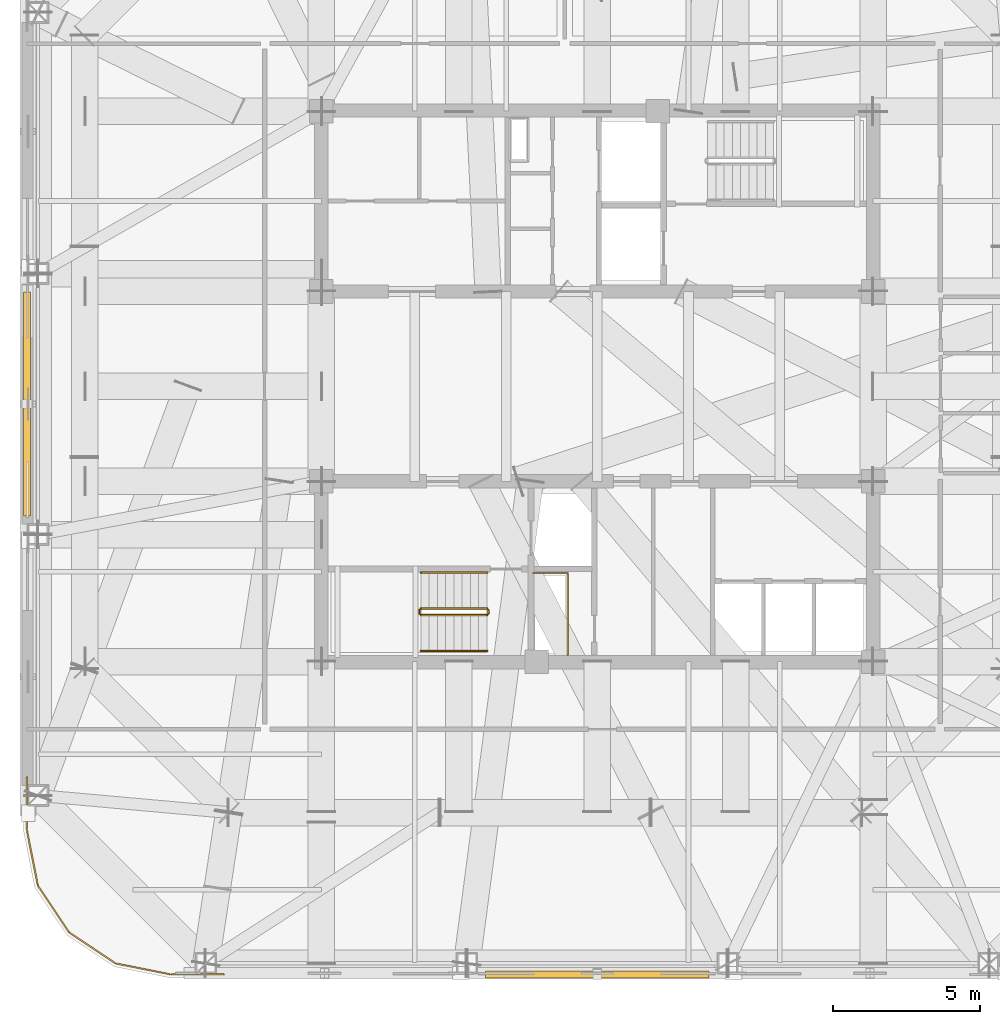
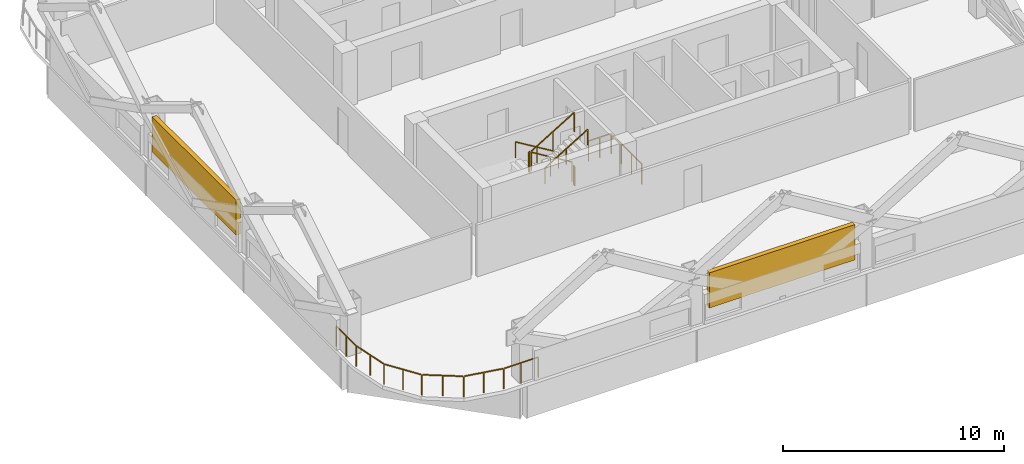
# One storey, part 9 of 11: 8 railings, 2 shading devices.
"""IFC4 building model written with IfcOpenShell, lengths in metres."""

from ifc_helpers import new_model, si_unit, direction, frame, origin, origin_2d, place, context, subcontext, project, spatial, rectangle, extrude, material, type_object, element, save


model = new_model("IFC4")

# Units and contexts
model_context = context("Model", 3, precision=1e-05, world=origin(), true_north=direction((0.0, 1.0)))
body_context = subcontext(model_context, "Body", "Model", "MODEL_VIEW")
ifc_project = project(units=[si_unit("LENGTHUNIT", "METRE"), si_unit("AREAUNIT", "SQUARE_METRE"), si_unit("VOLUMEUNIT", "CUBIC_METRE"), si_unit("PLANEANGLEUNIT", "RADIAN"), si_unit("MASSUNIT", "GRAM", prefix="KILO")], contexts=[model_context])

# Site, building, storey
site_placement = place(None, origin())
site = spatial("IfcSite", under=ifc_project, at=site_placement, CompositionType="ELEMENT")
building_placement = place(site_placement, origin())
building = spatial("IfcBuilding", under=site, at=building_placement, Name="Qhalaya Broadcast Tower", CompositionType="ELEMENT")
storey_placement = place(building_placement, frame((0.0, 0.0, 199.5)))
storey = spatial("IfcBuildingStorey", under=building, at=storey_placement, Name="L58", CompositionType="ELEMENT", Elevation=199.5)

# Railings
ifc_material_1 = material(Name="Powder-Coated Galvanised Steel", Category="steel")
railing_type_1 = type_object("IfcRailingType", Name="Stair Wall Handrail 900", PredefinedType="HANDRAIL", material=ifc_material_1)
railing_1_placement = place(storey_placement, frame((-3.75, -5.72998046875, 0.16943359375)))
element("IfcRailing", 1, at=railing_1_placement, inside=storey, type_object=railing_type_1, Name="L58 ST-2 Stair Handrail 1", PredefinedType="HANDRAIL", context=body_context, shape_type="SweptSolid", body=[
    extrude(rectangle(XDim=0.048095703125, YDim=0.048095703125, at=origin_2d()), frame((0.0, 0.0, 0.8759765625), z_axis=(-0.855553338991, 0.0, 0.51771467445), x_axis=(0.0, -1.0, 0.0)), (0.0, 0.0, 1.0), 2.6181640625),
    extrude(rectangle(XDim=0.0419921875, YDim=0.0419921875, at=origin_2d()), origin(), (0.0, 0.0, 1.0), 0.849853515625),
    extrude(rectangle(XDim=0.0419921875, YDim=0.0419921875, at=origin_2d()), frame((-1.1201171875, 0.0, 0.677734375)), (0.0, 0.0, 1.0), 0.849853515625),
    extrude(rectangle(XDim=0.0419921875, YDim=0.0419921875, at=origin_2d()), frame((-2.239990234375, 0.0, 1.35546875)), (0.0, 0.0, 1.0), 0.849853515625),
])
railing_2_placement = place(storey_placement, frame((-5.989990234375, -8.389892578125, 1.6943359375)))
element("IfcRailing", 2, at=railing_2_placement, inside=storey, type_object=railing_type_1, Name="L58 ST-2 Stair Handrail 2", PredefinedType="HANDRAIL", context=body_context, shape_type="SweptSolid", body=[
    extrude(rectangle(XDim=0.048095703125, YDim=0.048095703125, at=origin_2d()), frame((0.0, 0.0, 0.8759765625), z_axis=(0.855512035549, 0.0, 0.517782924622), x_axis=(0.0, 1.0, 0.0)), (0.0, 0.0, 1.0), 2.618408203125),
    extrude(rectangle(XDim=0.0419921875, YDim=0.0419921875, at=origin_2d()), origin(), (0.0, 0.0, 1.0), 0.849853515625),
    extrude(rectangle(XDim=0.0419921875, YDim=0.0419921875, at=origin_2d()), frame((1.1201171875, 0.0, 0.677734375)), (0.0, 0.0, 1.0), 0.849853515625),
    extrude(rectangle(XDim=0.0419921875, YDim=0.0419921875, at=origin_2d()), frame((2.239990234375, 0.0, 1.355712890625)), (0.0, 0.0, 1.0), 0.849853515625),
])
railing_type_2 = type_object("IfcRailingType", Name="Stair Well & Landing Guardrail 1100", PredefinedType="GUARDRAIL", material=ifc_material_1)
railing_3_placement = place(storey_placement, frame((-1.0, -8.52001953125, 0.0)))
element("IfcRailing", 3, at=railing_3_placement, inside=storey, type_object=railing_type_2, Name="L58 Service Riser Opening Safety Guard SRSR", PredefinedType="GUARDRAIL", context=body_context, shape_type="SweptSolid", body=[
    extrude(rectangle(XDim=0.048095703125, YDim=0.048095703125, at=origin_2d()), frame((0.0, 0.0, 1.1259765625), z_axis=(0.0, 1.0, 0.0), x_axis=(-1.0, 0.0, 0.0)), (0.0, 0.0, 1.0), 2.751220703125),
    extrude(rectangle(XDim=0.048095703125, YDim=0.048095703125, at=origin_2d()), frame((-0.02880859375, 2.780029296875, 1.1259765625), z_axis=(-1.0, 0.0, 0.0), x_axis=(0.0, -1.0, 0.0)), (0.0, 0.0, 1.0), 1.151123046875),
    extrude(rectangle(XDim=0.0419921875, YDim=0.0419921875, at=origin_2d()), origin(), (0.0, 0.0, 1.0), 1.099853515625),
    extrude(rectangle(XDim=0.0419921875, YDim=0.0419921875, at=origin_2d()), frame((0.0, 0.9267578125, 0.0)), (0.0, 0.0, 1.0), 1.099853515625),
    extrude(rectangle(XDim=0.0419921875, YDim=0.0419921875, at=origin_2d()), frame((0.0, 1.853271484375, 0.0)), (0.0, 0.0, 1.0), 1.099853515625),
    extrude(rectangle(XDim=0.0419921875, YDim=0.0419921875, at=origin_2d()), frame((0.0, 2.780029296875, 0.0)), (0.0, 0.0, 1.0), 1.099853515625),
    extrude(rectangle(XDim=0.0419921875, YDim=0.0419921875, at=origin_2d()), frame((-0.58984375, 2.780029296875, 0.0)), (0.0, 0.0, 1.0), 1.099853515625),
    extrude(rectangle(XDim=0.0419921875, YDim=0.0419921875, at=origin_2d()), frame((-1.179931640625, 2.780029296875, 0.0)), (0.0, 0.0, 1.0), 1.099853515625),
])
railing_4_placement = place(storey_placement, frame((-3.75, -6.949951171875, 0.16943359375)))
element("IfcRailing", 4, at=railing_4_placement, inside=storey, type_object=railing_type_2, Name="L58 ST-2 Stair Guard 1", PredefinedType="GUARDRAIL", context=body_context, shape_type="SweptSolid", body=[
    extrude(rectangle(XDim=0.048095703125, YDim=0.048095703125, at=origin_2d()), frame((0.0, 0.0, 1.076171875), z_axis=(-0.855553338991, 0.0, 0.51771467445), x_axis=(0.0, -1.0, 0.0)), (0.0, 0.0, 1.0), 2.6181640625),
    extrude(rectangle(XDim=0.0419921875, YDim=0.0419921875, at=origin_2d()), origin(), (0.0, 0.0, 1.0), 1.050048828125),
    extrude(rectangle(XDim=0.0419921875, YDim=0.0419921875, at=origin_2d()), frame((-1.1201171875, 0.0, 0.677734375)), (0.0, 0.0, 1.0), 1.050048828125),
    extrude(rectangle(XDim=0.0419921875, YDim=0.0419921875, at=origin_2d()), frame((-2.239990234375, 0.0, 1.35546875)), (0.0, 0.0, 1.0), 1.050048828125),
])
railing_5_placement = place(storey_placement, frame((-6.0400390625, -7.0, 1.52490234375)))
element("IfcRailing", 5, at=railing_5_placement, inside=storey, type_object=railing_type_2, Name="L58 ST-2 Stair Guard 2", PredefinedType="GUARDRAIL", context=body_context, shape_type="SweptSolid", body=[
    extrude(rectangle(XDim=0.048095703125, YDim=0.048095703125, at=origin_2d()), frame((0.0, 0.0, 1.076171875), z_axis=(0.0, -1.0, 0.0), x_axis=(1.0, 0.0, 0.0)), (0.0, 0.0, 1.0), 0.1201171875),
    extrude(rectangle(XDim=0.0419921875, YDim=0.0419921875, at=origin_2d()), origin(), (0.0, 0.0, 1.0), 1.050048828125),
    extrude(rectangle(XDim=0.0419921875, YDim=0.0419921875, at=origin_2d()), frame((0.0, -0.1201171875, 0.0)), (0.0, 0.0, 1.0), 1.050048828125),
])
railing_6_placement = place(storey_placement, frame((-5.989990234375, -7.169921875, 1.6943359375)))
element("IfcRailing", 6, at=railing_6_placement, inside=storey, type_object=railing_type_2, Name="L58 ST-2 Stair Guard 3", PredefinedType="GUARDRAIL", context=body_context, shape_type="SweptSolid", body=[
    extrude(rectangle(XDim=0.048095703125, YDim=0.048095703125, at=origin_2d()), frame((0.0, 0.0, 1.076171875), z_axis=(0.855512035549, 0.0, 0.517782924622), x_axis=(0.0, 1.0, 0.0)), (0.0, 0.0, 1.0), 2.618408203125),
    extrude(rectangle(XDim=0.0419921875, YDim=0.0419921875, at=origin_2d()), origin(), (0.0, 0.0, 1.0), 1.050048828125),
    extrude(rectangle(XDim=0.0419921875, YDim=0.0419921875, at=origin_2d()), frame((1.1201171875, 0.0, 0.677734375)), (0.0, 0.0, 1.0), 1.050048828125),
    extrude(rectangle(XDim=0.0419921875, YDim=0.0419921875, at=origin_2d()), frame((2.239990234375, 0.0, 1.355712890625)), (0.0, 0.0, 1.0), 1.050048828125),
])
railing_7_placement = place(storey_placement, frame((-3.699951171875, -7.0, 0.0)))
element("IfcRailing", 7, at=railing_7_placement, inside=storey, type_object=railing_type_2, Name="L58 ST-2 Stair Guard 4", PredefinedType="GUARDRAIL", context=body_context, shape_type="SweptSolid", body=[
    extrude(rectangle(XDim=0.048095703125, YDim=0.048095703125, at=origin_2d()), frame((0.0, 0.0, 1.076171875), z_axis=(0.0, -1.0, 0.0), x_axis=(1.0, 0.0, 0.0)), (0.0, 0.0, 1.0), 0.1201171875),
    extrude(rectangle(XDim=0.0419921875, YDim=0.0419921875, at=origin_2d()), origin(), (0.0, 0.0, 1.0), 1.050048828125),
    extrude(rectangle(XDim=0.0419921875, YDim=0.0419921875, at=origin_2d()), frame((0.0, -0.1201171875, 0.0)), (0.0, 0.0, 1.0), 1.050048828125),
])
railing_type_3 = type_object("IfcRailingType", Name="Terrace, Sky-Pool & Lookout Glass Balustrade 1150", PredefinedType="BALUSTRADE", material=ifc_material_1)
railing_8_placement = place(storey_placement, frame((-12.681884765625, -19.3798828125, 0.0)))
element("IfcRailing", 8, at=railing_8_placement, inside=storey, type_object=railing_type_3, Name="L58 Rounded Corner Perimeter Guard 02", PredefinedType="BALUSTRADE", context=body_context, shape_type="SweptSolid", body=[
    extrude(rectangle(XDim=0.048095703125, YDim=0.048095703125, at=origin_2d()), frame((0.0, 0.0, 1.1259765625), z_axis=(-1.0, 0.0, 0.0), x_axis=(0.0, -1.0, 0.0)), (0.0, 0.0, 1.0), 1.777587890625),
    extrude(rectangle(XDim=0.048095703125, YDim=0.048095703125, at=origin_2d()), frame((-1.834716796875, 0.005615234375, 1.1259765625), z_axis=(-0.980795810058, 0.195037378397, 0.0), x_axis=(-0.195037378397, -0.980795810058, 0.0)), (0.0, 0.0, 1.0), 1.857421875),
    extrude(rectangle(XDim=0.048095703125, YDim=0.048095703125, at=origin_2d()), frame((-3.708740234375, 0.3896484375, 1.1259765625), z_axis=(-0.831437950597, 0.555617615188, 0.0), x_axis=(-0.555617615188, -0.831437950597, 0.0)), (0.0, 0.0, 1.0), 1.845458984375),
    extrude(rectangle(XDim=0.048095703125, YDim=0.048095703125, at=origin_2d()), frame((-5.283203125, 1.454833984375, 1.1259765625), z_axis=(-0.555617615188, 0.831437950597, 0.0), x_axis=(-0.831437950597, -0.555617615188, 0.0)), (0.0, 0.0, 1.0), 1.845458984375),
    extrude(rectangle(XDim=0.048095703125, YDim=0.048095703125, at=origin_2d()), frame((-6.330078125, 3.04150390625, 1.1259765625), z_axis=(-0.195037378397, 0.980795810058, 0.0), x_axis=(-0.980795810058, -0.195037378397, 0.0)), (0.0, 0.0, 1.0), 1.857421875),
    extrude(rectangle(XDim=0.048095703125, YDim=0.048095703125, at=origin_2d()), frame((-6.697998046875, 4.92041015625, 1.1259765625), z_axis=(0.0, 1.0, 0.0), x_axis=(-1.0, 0.0, 0.0)), (0.0, 0.0, 1.0), 1.777587890625),
    extrude(rectangle(XDim=0.0419921875, YDim=0.0419921875, at=origin_2d()), origin(), (0.0, 0.0, 1.0), 1.099853515625),
    extrude(rectangle(XDim=0.0419921875, YDim=0.0419921875, at=origin_2d()), frame((-0.9033203125, 0.0, 0.0)), (0.0, 0.0, 1.0), 1.099853515625),
    extrude(rectangle(XDim=0.0419921875, YDim=0.0419921875, at=origin_2d()), frame((-1.806396484375, 0.0, 0.0)), (0.0, 0.0, 1.0), 1.099853515625),
    extrude(rectangle(XDim=0.0419921875, YDim=0.0419921875, at=origin_2d()), frame((-2.74560546875, 0.186767578125, 0.0)), (0.0, 0.0, 1.0), 1.099853515625),
    extrude(rectangle(XDim=0.0419921875, YDim=0.0419921875, at=origin_2d()), frame((-3.684814453125, 0.37353515625, 0.0)), (0.0, 0.0, 1.0), 1.099853515625),
    extrude(rectangle(XDim=0.0419921875, YDim=0.0419921875, at=origin_2d()), frame((-4.47607421875, 0.90234375, 0.0)), (0.0, 0.0, 1.0), 1.099853515625),
    extrude(rectangle(XDim=0.0419921875, YDim=0.0419921875, at=origin_2d()), frame((-5.26708984375, 1.430908203125, 0.0)), (0.0, 0.0, 1.0), 1.099853515625),
    extrude(rectangle(XDim=0.0419921875, YDim=0.0419921875, at=origin_2d()), frame((-5.7958984375, 2.22216796875, 0.0)), (0.0, 0.0, 1.0), 1.099853515625),
    extrude(rectangle(XDim=0.0419921875, YDim=0.0419921875, at=origin_2d()), frame((-6.324462890625, 3.01318359375, 0.0)), (0.0, 0.0, 1.0), 1.099853515625),
    extrude(rectangle(XDim=0.0419921875, YDim=0.0419921875, at=origin_2d()), frame((-6.51123046875, 3.952392578125, 0.0)), (0.0, 0.0, 1.0), 1.099853515625),
    extrude(rectangle(XDim=0.0419921875, YDim=0.0419921875, at=origin_2d()), frame((-6.697998046875, 4.8916015625, 0.0)), (0.0, 0.0, 1.0), 1.099853515625),
    extrude(rectangle(XDim=0.0419921875, YDim=0.0419921875, at=origin_2d()), frame((-6.697998046875, 5.794921875, 0.0)), (0.0, 0.0, 1.0), 1.099853515625),
    extrude(rectangle(XDim=0.0419921875, YDim=0.0419921875, at=origin_2d()), frame((-6.697998046875, 6.697998046875, 0.0)), (0.0, 0.0, 1.0), 1.099853515625),
])

# Shading devices
ifc_material_2 = material(Name="Fired Architectural Terracotta", Category="masonry")
shading_device_type = type_object("IfcShadingDeviceType", Name="Terracotta Baguette Solar Screen Assembly TBS-01", PredefinedType="USERDEFINED", material=ifc_material_2)
for number, where, z_axis, x_axis, name in (
    (9, (0.0, -19.3798828125, 0.80078125), (0.0, 0.0, 1.0), (1.0, 0.0, 0.0), "L58 Fired Terracotta Baguette Screen S"),
    (10, (-19.3798828125, 0.0, 0.80078125), (0.0, 0.0, 1.0), (0.0, -1.0, 0.0), "L58 Fired Terracotta Baguette Screen W"),
):
    element("IfcShadingDevice", number, at=place(storey_placement, frame(where, z_axis=z_axis, x_axis=x_axis)), inside=storey, type_object=shading_device_type, Name=name, ObjectType="BAGUETTE", PredefinedType="USERDEFINED", context=body_context, shape_type="SweptSolid", body=[
        extrude(rectangle(XDim=7.60009765625, YDim=0.239990234375, at=origin_2d()), origin(), (0.0, 0.0, 1.0), 1.945068359375),
    ])

save(model, "model.ifc")
